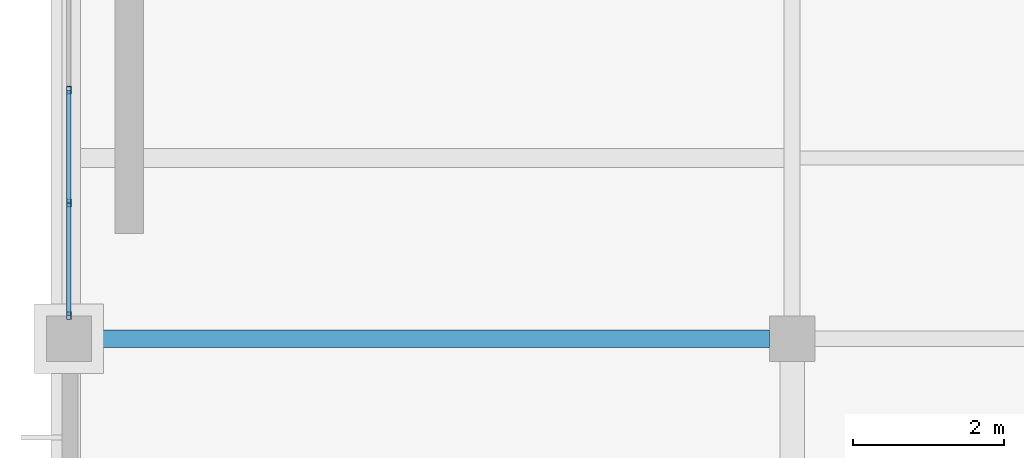
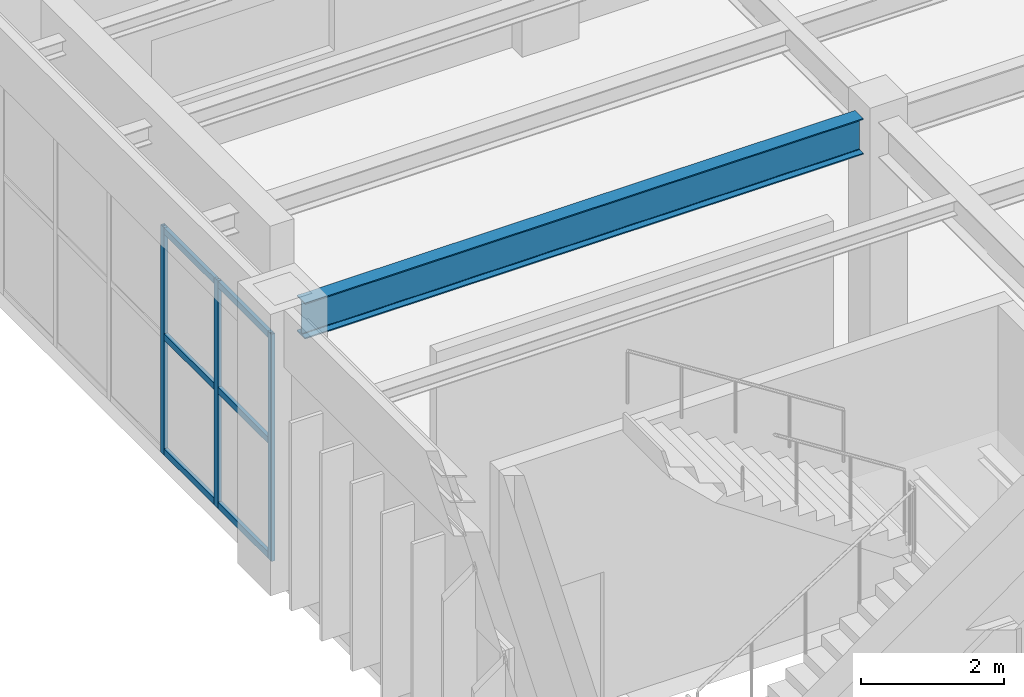
# One storey, part 2 of 83: 9 members, 1 beam, 1 element without a shape of its own.
"""IFC4 building model written with IfcOpenShell, lengths in metres."""

from ifc_helpers import new_model, si_unit, direction, frame, origin, origin_2d, place, context, subcontext, project, spatial, hollow_rectangle, i_section, extrude, material, material_profile, profile_set, type_object, element, aggregate, save


model = new_model("IFC4")

# Units and contexts
model_context = context("Model", 3, precision=1e-05, world=origin(), true_north=direction((0.0, 1.0)))
body_context = subcontext(model_context, "Body", "Model", "MODEL_VIEW")
ifc_project = project(units=[si_unit("LENGTHUNIT", "METRE"), si_unit("AREAUNIT", "SQUARE_METRE"), si_unit("VOLUMEUNIT", "CUBIC_METRE"), si_unit("PLANEANGLEUNIT", "RADIAN"), si_unit("MASSUNIT", "GRAM", prefix="KILO")], contexts=[model_context])

# Site, building, storey
site_placement = place(None, origin())
site = spatial("IfcSite", under=ifc_project, at=site_placement, CompositionType="ELEMENT")
building_placement = place(site_placement, origin())
building = spatial("IfcBuilding", under=site, at=building_placement, Name="Mavantir Sound Aquarium", CompositionType="ELEMENT")
storey_placement = place(building_placement, frame((0.0, 0.0, 10.5)))
storey = spatial("IfcBuildingStorey", under=building, at=storey_placement, Name="L02", CompositionType="ELEMENT", Elevation=10.5)

# Beam
ifc_material_1 = material(Name="Structural Steel ASTM A992 Gr50", Category="steel")
ifc_material_profile_1 = material_profile(ifc_material_1, i_section(OverallWidth=0.22900390625, OverallDepth=0.612060546875, WebThickness=0.011962890625, FlangeThickness=0.01953125, FilletRadius=0.01904296875, at=origin_2d()), Name="W610X125")
ifc_profile_set_1 = profile_set([ifc_material_profile_1], Name="Structural Steel ASTM A992 Gr50")
beam_type = type_object("IfcBeamType", Name="BM-W610X125-I", PredefinedType="BEAM", material=ifc_profile_set_1)
beam_placement = place(storey_placement, frame((0.300048828125, 9.60009765625, 4.2099609375), z_axis=(1.0, 0.0, 0.0), x_axis=(0.0, 1.0, 0.0)))
element("IfcBeam", 1, at=beam_placement, inside=storey, type_object=beam_type, Name="L02 primary beam SB-61B 1497", PredefinedType="BEAM", context=body_context, shape_type="SweptSolid", body=[
    extrude(i_section(OverallWidth=0.22900390625, OverallDepth=0.612060546875, WebThickness=0.011962890625, FlangeThickness=0.01953125, FilletRadius=0.01904296875, at=origin_2d()), origin(), (0.0, 0.0, 1.0), 9.0),
])

# Curtain wall, members
ifc_material_2 = material(Name="Anodised Marine Aluminium and Low-E Glass", Category="aluminium")
curtain_wall_type = type_object("IfcCurtainWallType", Name="CW-T07", PredefinedType="USERDEFINED", material=ifc_material_2)
curtain_wall_placement = place(storey_placement, origin())
curtain_wall = element("IfcCurtainWall", 2, at=curtain_wall_placement, inside=storey, type_object=curtain_wall_type, Name="L02 unitised curtain wall CW-07 127", ObjectType="UNITISED GLAZING", PredefinedType="USERDEFINED")
ifc_material_3 = material(Name="Anodised Marine Aluminium 6063-T6", Category="aluminium")
ifc_material_profile_2 = material_profile(ifc_material_3, hollow_rectangle(XDim=0.06005859375, YDim=0.10009765625, WallThickness=0.00390625, at=origin_2d()), Name="ALU-MULLION-100X60")
ifc_profile_set_2 = profile_set([ifc_material_profile_2], Name="Anodised Marine Aluminium 6063-T6")
member_type_1 = type_object("IfcMemberType", Name="CW-MUL-100", PredefinedType="MULLION", material=ifc_profile_set_2)
member_1_placement = place(storey_placement, frame((0.0, 12.902587890625, 0.0), z_axis=(0.0, 0.0, 1.0), x_axis=(1.0, 0.0, 0.0)))
member_1 = element("IfcMember", 3, at=member_1_placement, type_object=member_type_1, Name="CW-L02-127 vertical mullion 5", PredefinedType="MULLION", context=body_context, shape_type="SweptSolid", body=[
    extrude(hollow_rectangle(XDim=0.06005859375, YDim=0.10009765625, WallThickness=0.00390625, at=origin_2d()), origin(), (0.0, 0.0, 1.0), 3.8740234375),
])
member_2_placement = place(storey_placement, frame((0.0, 11.4052734375, 0.0), z_axis=(0.0, 0.0, 1.0), x_axis=(1.0, 0.0, 0.0)))
member_2 = element("IfcMember", 4, at=member_2_placement, type_object=member_type_1, Name="CW-L02-127 vertical mullion 6", PredefinedType="MULLION", context=body_context, shape_type="SweptSolid", body=[
    extrude(hollow_rectangle(XDim=0.06005859375, YDim=0.10009765625, WallThickness=0.00390625, at=origin_2d()), origin(), (0.0, 0.0, 1.0), 3.8740234375),
])
member_3_placement = place(storey_placement, frame((0.0, 9.907958984375, 0.0), z_axis=(0.0, 0.0, 1.0), x_axis=(1.0, 0.0, 0.0)))
member_3 = element("IfcMember", 5, at=member_3_placement, type_object=member_type_1, Name="CW-L02-127 vertical mullion 7", PredefinedType="MULLION", context=body_context, shape_type="SweptSolid", body=[
    extrude(hollow_rectangle(XDim=0.06005859375, YDim=0.10009765625, WallThickness=0.00390625, at=origin_2d()), origin(), (0.0, 0.0, 1.0), 3.8740234375),
])
ifc_material_profile_3 = material_profile(ifc_material_3, hollow_rectangle(XDim=0.06005859375, YDim=0.110107421875, WallThickness=0.00390625, at=origin_2d()), Name="ALU-TRANSOM-110X60")
ifc_profile_set_3 = profile_set([ifc_material_profile_3], Name="Anodised Marine Aluminium 6063-T6")
member_type_2 = type_object("IfcMemberType", Name="CW-TRN-110", PredefinedType="USERDEFINED", material=ifc_profile_set_3)
member_4_placement = place(storey_placement, frame((0.0, 12.902587890625, 0.054931640625), z_axis=(0.0, -1.0, 0.0), x_axis=(1.0, 0.0, 0.0)))
member_4 = element("IfcMember", 6, at=member_4_placement, type_object=member_type_2, Name="CW-L02-127 transom 5.1", ObjectType="TRANSOM", PredefinedType="USERDEFINED", context=body_context, shape_type="SweptSolid", body=[
    extrude(hollow_rectangle(XDim=0.06005859375, YDim=0.110107421875, WallThickness=0.00390625, at=origin_2d()), origin(), (0.0, 0.0, 1.0), 1.497314453125),
])
member_5_placement = place(storey_placement, frame((0.0, 12.902587890625, 2.014404296875), z_axis=(0.0, -1.0, 0.0), x_axis=(1.0, 0.0, 0.0)))
member_5 = element("IfcMember", 7, at=member_5_placement, type_object=member_type_2, Name="CW-L02-127 transom 5.2", ObjectType="TRANSOM", PredefinedType="USERDEFINED", context=body_context, shape_type="SweptSolid", body=[
    extrude(hollow_rectangle(XDim=0.06005859375, YDim=0.110107421875, WallThickness=0.00390625, at=origin_2d()), origin(), (0.0, 0.0, 1.0), 1.497314453125),
])
member_6_placement = place(storey_placement, frame((0.0, 12.902587890625, 3.819091796875), z_axis=(0.0, -1.0, 0.0), x_axis=(1.0, 0.0, 0.0)))
member_6 = element("IfcMember", 8, at=member_6_placement, type_object=member_type_2, Name="CW-L02-127 transom 5.3", ObjectType="TRANSOM", PredefinedType="USERDEFINED", context=body_context, shape_type="SweptSolid", body=[
    extrude(hollow_rectangle(XDim=0.06005859375, YDim=0.110107421875, WallThickness=0.00390625, at=origin_2d()), origin(), (0.0, 0.0, 1.0), 1.497314453125),
])
member_7_placement = place(storey_placement, frame((0.0, 11.4052734375, 0.054931640625), z_axis=(0.0, -1.0, 0.0), x_axis=(1.0, 0.0, 0.0)))
member_7 = element("IfcMember", 9, at=member_7_placement, type_object=member_type_2, Name="CW-L02-127 transom 6.1", ObjectType="TRANSOM", PredefinedType="USERDEFINED", context=body_context, shape_type="SweptSolid", body=[
    extrude(hollow_rectangle(XDim=0.06005859375, YDim=0.110107421875, WallThickness=0.00390625, at=origin_2d()), origin(), (0.0, 0.0, 1.0), 1.497314453125),
])
member_8_placement = place(storey_placement, frame((0.0, 11.4052734375, 2.014404296875), z_axis=(0.0, -1.0, 0.0), x_axis=(1.0, 0.0, 0.0)))
member_8 = element("IfcMember", 10, at=member_8_placement, type_object=member_type_2, Name="CW-L02-127 transom 6.2", ObjectType="TRANSOM", PredefinedType="USERDEFINED", context=body_context, shape_type="SweptSolid", body=[
    extrude(hollow_rectangle(XDim=0.06005859375, YDim=0.110107421875, WallThickness=0.00390625, at=origin_2d()), origin(), (0.0, 0.0, 1.0), 1.497314453125),
])
member_9_placement = place(storey_placement, frame((0.0, 11.4052734375, 3.819091796875), z_axis=(0.0, -1.0, 0.0), x_axis=(1.0, 0.0, 0.0)))
member_9 = element("IfcMember", 11, at=member_9_placement, type_object=member_type_2, Name="CW-L02-127 transom 6.3", ObjectType="TRANSOM", PredefinedType="USERDEFINED", context=body_context, shape_type="SweptSolid", body=[
    extrude(hollow_rectangle(XDim=0.06005859375, YDim=0.110107421875, WallThickness=0.00390625, at=origin_2d()), origin(), (0.0, 0.0, 1.0), 1.497314453125),
])
aggregate(curtain_wall, [member_1, member_2, member_3, member_4, member_5, member_6, member_7, member_8, member_9])

save(model, "model.ifc")
